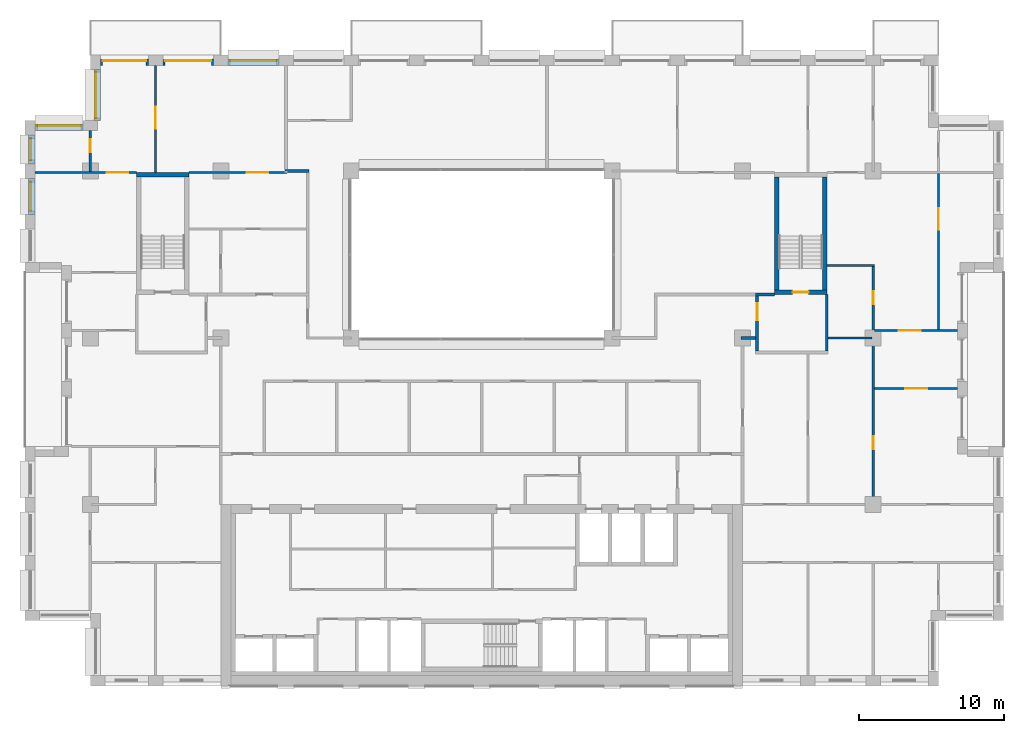
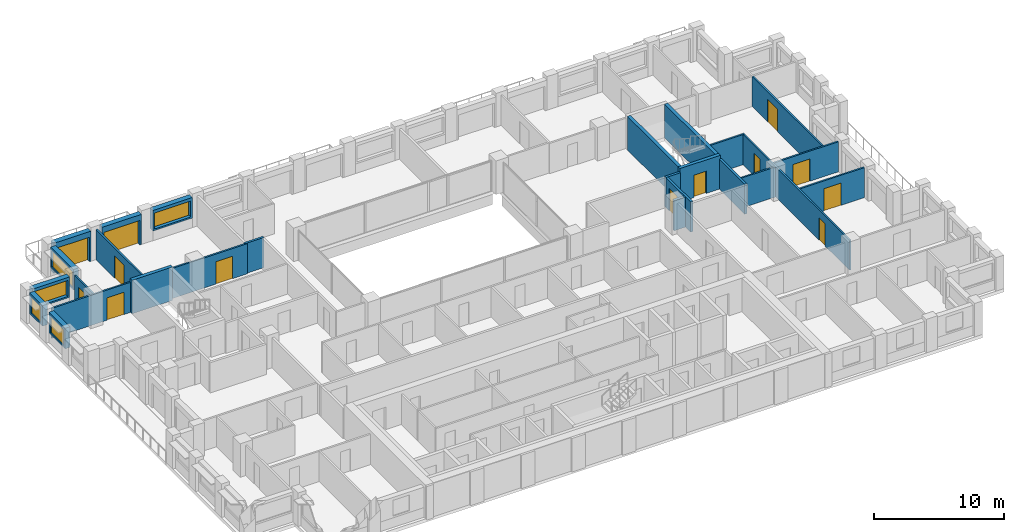
# One storey, part 12 of 16: 26 walls, 13 doors, 5 windows, 18 openings.
"""IFC4 building model written with IfcOpenShell, lengths in metres."""

from ifc_helpers import new_model, si_unit, direction, frame, frame_2d, origin, place, context, subcontext, project, spatial, rectangle, extrude, material, layer, layer_set, type_object, element, fill, save


model = new_model("IFC4")

# Units and contexts
model_context = context("Model", 3, precision=1e-05, world=origin(), true_north=direction((0.0, 1.0)))
body_context = subcontext(model_context, "Body", "Model", "MODEL_VIEW")
ifc_project = project(units=[si_unit("LENGTHUNIT", "METRE"), si_unit("AREAUNIT", "SQUARE_METRE"), si_unit("VOLUMEUNIT", "CUBIC_METRE"), si_unit("PLANEANGLEUNIT", "RADIAN"), si_unit("MASSUNIT", "GRAM", prefix="KILO")], contexts=[model_context])

# Site, building, storey
site_placement = place(None, origin())
site = spatial("IfcSite", under=ifc_project, at=site_placement, CompositionType="ELEMENT")
building_placement = place(site_placement, origin())
building = spatial("IfcBuilding", under=site, at=building_placement, Name="Brigalow Station Residences", CompositionType="ELEMENT")
storey_placement = place(building_placement, frame((0.0, 0.0, 179.10009765625)))
storey = spatial("IfcBuildingStorey", under=building, at=storey_placement, Name="L52", CompositionType="ELEMENT", Elevation=179.10009765625)

# Wall, opening, window
ifc_material_1 = material(Name="Clay brick masonry", Category="masonry")
ifc_layer_1 = layer(ifc_material_1, 0.449951171875)
ifc_layer_set_1 = layer_set([ifc_layer_1], Name="BRICK INFILL WALL 450")
wall_type_1 = type_object("IfcWallType", Name="BRICK INFILL WALL 450", PredefinedType="SOLIDWALL", material=ifc_layer_set_1)
wall_1_placement = place(storey_placement, frame((22.0, 43.02490234375, 0.89990234375), z_axis=(0.0, 0.0, 1.0), x_axis=(-1.0, 0.0, 0.0)))
wall_1 = element("IfcWall", 1, at=wall_1_placement, inside=storey, type_object=wall_type_1, Name="L52/ewall/W-L52-32", PredefinedType="SOLIDWALL", context=body_context, shape_type="SweptSolid", body=[
    extrude(rectangle(XDim=3.5, YDim=0.449951171875, at=frame_2d((1.75, 0.0))), origin(), (0.0, 0.0, 1.0), 1.929931640625),
])
opening_1_placement = place(wall_1_placement, frame((0.14990234375, 0.0, 0.14990234375)))
opening_1 = element("IfcOpeningElement", 2, at=opening_1_placement, cuts=wall_1, Name="Opening WT-9", PredefinedType="OPENING", context=body_context, shape_type="SweptSolid", body=[
    extrude(rectangle(XDim=3.199951171875, YDim=1.5, at=frame_2d((1.60009765625, 0.75))), frame((0.0, 0.23486328125, 0.0), z_axis=(0.0, -1.0, 0.0), x_axis=(1.0, 0.0, 0.0)), (0.0, 0.0, 1.0), 0.469970703125),
])
ifc_material_2 = material(Name="Anodised aluminium frame with double glazing", Category="aluminium")
window_type_1 = type_object("IfcWindowType", Name="WINDOW 3200x1500", PartitioningType="SINGLE_PANEL", PredefinedType="WINDOW", material=ifc_material_2)
window_1_placement = place(opening_1_placement, origin())
window_1 = element("IfcWindow", 3, at=window_1_placement, inside=storey, type_object=window_type_1, Name="L52/window/W-L52-32", OverallHeight=1.5, OverallWidth=3.199951171875, PartitioningType="SINGLE_PANEL", PredefinedType="WINDOW", context=body_context, shape_type="SweptSolid", body=[
    extrude(rectangle(XDim=3.199951171875, YDim=1.5, at=frame_2d((1.60009765625, 0.75))), frame((0.0, -0.06494140625, 0.0), z_axis=(0.0, -1.0, 0.0), x_axis=(1.0, 0.0, 0.0)), (0.0, 0.0, 1.0), 0.06005859375),
])
fill(opening_1, window_1)

# Wall, opening, door
wall_2_placement = place(storey_placement, frame((17.5, 43.02490234375, 0.0), z_axis=(0.0, 0.0, 1.0), x_axis=(-1.0, 0.0, 0.0)))
wall_2 = element("IfcWall", 4, at=wall_2_placement, inside=storey, type_object=wall_type_1, Name="L52/ewall/W-L52-33", PredefinedType="SOLIDWALL", context=body_context, shape_type="SweptSolid", body=[
    extrude(rectangle(XDim=3.5, YDim=0.449951171875, at=frame_2d((1.75, 0.0))), origin(), (0.0, 0.0, 1.0), 2.829833984375),
])
opening_2_placement = place(wall_2_placement, frame((0.14990234375, 0.0, 0.0)))
opening_2 = element("IfcOpeningElement", 5, at=opening_2_placement, cuts=wall_2, Name="Opening D-B3200", PredefinedType="OPENING", context=body_context, shape_type="SweptSolid", body=[
    extrude(rectangle(XDim=3.199951171875, YDim=2.300048828125, at=frame_2d((1.60009765625, 1.14990234375))), frame((0.0, 0.23486328125, 0.0), z_axis=(0.0, -1.0, 0.0), x_axis=(1.0, 0.0, 0.0)), (0.0, 0.0, 1.0), 0.469970703125),
])
ifc_material_3 = material(Name="Anodised aluminium frame with double glazing", Category="aluminium")
door_type_1 = type_object("IfcDoorType", Name="BALCONY SLIDING DOOR 3200x2300", OperationType="SLIDING_TO_LEFT", PredefinedType="DOOR", material=ifc_material_3)
door_1_placement = place(opening_2_placement, origin())
door_1 = element("IfcDoor", 6, at=door_1_placement, inside=storey, type_object=door_type_1, Name="L52/balcony-door/W-L52-33", OperationType="SLIDING_TO_LEFT", OverallHeight=2.300048828125, OverallWidth=3.199951171875, PredefinedType="DOOR", context=body_context, shape_type="SweptSolid", body=[
    extrude(rectangle(XDim=3.199951171875, YDim=2.300048828125, at=frame_2d((1.60009765625, 1.14990234375))), frame((0.0, -0.06982421875, 0.0), z_axis=(0.0, -1.0, 0.0), x_axis=(1.0, 0.0, 0.0)), (0.0, 0.0, 1.0), 0.050048828125),
])
fill(opening_2, door_1)

wall_3_placement = place(storey_placement, frame((13.0, 43.02490234375, 0.0), z_axis=(0.0, 0.0, 1.0), x_axis=(-1.0, 0.0, 0.0)))
wall_3 = element("IfcWall", 7, at=wall_3_placement, inside=storey, type_object=wall_type_1, Name="L52/ewall/W-L52-34", PredefinedType="SOLIDWALL", context=body_context, shape_type="SweptSolid", body=[
    extrude(rectangle(XDim=3.300048828125, YDim=0.449951171875, at=frame_2d((1.64990234375, 0.0))), origin(), (0.0, 0.0, 1.0), 2.829833984375),
])
opening_3_placement = place(wall_3_placement, frame((0.14990234375, 0.0, 0.0)))
opening_3 = element("IfcOpeningElement", 8, at=opening_3_placement, cuts=wall_3, Name="Opening D-B3000", PredefinedType="OPENING", context=body_context, shape_type="SweptSolid", body=[
    extrude(rectangle(XDim=3.0, YDim=2.300048828125, at=frame_2d((1.5, 1.14990234375))), frame((0.0, 0.23486328125, 0.0), z_axis=(0.0, -1.0, 0.0), x_axis=(1.0, 0.0, 0.0)), (0.0, 0.0, 1.0), 0.469970703125),
])
ifc_material_4 = material(Name="Anodised aluminium frame with double glazing", Category="aluminium")
door_type_2 = type_object("IfcDoorType", Name="BALCONY SLIDING DOOR 3000x2300", OperationType="SLIDING_TO_LEFT", PredefinedType="DOOR", material=ifc_material_4)
door_2_placement = place(opening_3_placement, origin())
door_2 = element("IfcDoor", 9, at=door_2_placement, inside=storey, type_object=door_type_2, Name="L52/balcony-door/W-L52-34", OperationType="SLIDING_TO_LEFT", OverallHeight=2.300048828125, OverallWidth=3.0, PredefinedType="DOOR", context=body_context, shape_type="SweptSolid", body=[
    extrude(rectangle(XDim=3.0, YDim=2.300048828125, at=frame_2d((1.5, 1.14990234375))), frame((0.0, -0.06982421875, 0.0), z_axis=(0.0, -1.0, 0.0), x_axis=(1.0, 0.0, 0.0)), (0.0, 0.0, 1.0), 0.050048828125),
])
fill(opening_3, door_2)

# Wall, opening, window
wall_4_placement = place(storey_placement, frame((9.47509765625, 42.5, 0.89990234375), z_axis=(0.0, 0.0, 1.0), x_axis=(0.0, -1.0, 0.0)))
wall_4 = element("IfcWall", 10, at=wall_4_placement, inside=storey, type_object=wall_type_1, Name="L52/ewall/W-L52-35", PredefinedType="SOLIDWALL", context=body_context, shape_type="SweptSolid", body=[
    extrude(rectangle(XDim=3.5, YDim=0.449951171875, at=frame_2d((1.75, 0.0))), origin(), (0.0, 0.0, 1.0), 1.929931640625),
])
opening_4_placement = place(wall_4_placement, frame((0.14990234375, 0.0, 0.14990234375)))
opening_4 = element("IfcOpeningElement", 11, at=opening_4_placement, cuts=wall_4, Name="Opening WT-9", PredefinedType="OPENING", context=body_context, shape_type="SweptSolid", body=[
    extrude(rectangle(XDim=3.199951171875, YDim=1.5, at=frame_2d((1.60009765625, 0.75))), frame((0.0, 0.23486328125, 0.0), z_axis=(0.0, -1.0, 0.0), x_axis=(1.0, 0.0, 0.0)), (0.0, 0.0, 1.0), 0.469970703125),
])
window_2_placement = place(opening_4_placement, origin())
window_2 = element("IfcWindow", 12, at=window_2_placement, inside=storey, type_object=window_type_1, Name="L52/window/W-L52-35", OverallHeight=1.5, OverallWidth=3.199951171875, PartitioningType="SINGLE_PANEL", PredefinedType="WINDOW", context=body_context, shape_type="SweptSolid", body=[
    extrude(rectangle(XDim=3.199951171875, YDim=1.5, at=frame_2d((1.60009765625, 0.75))), frame((0.0, -0.06494140625, 0.0), z_axis=(0.0, -1.0, 0.0), x_axis=(1.0, 0.0, 0.0)), (0.0, 0.0, 1.0), 0.06005859375),
])
fill(opening_4, window_2)

wall_5_placement = place(storey_placement, frame((8.5, 38.52490234375, 0.89990234375), z_axis=(0.0, 0.0, 1.0), x_axis=(-1.0, 0.0, 0.0)))
wall_5 = element("IfcWall", 13, at=wall_5_placement, inside=storey, type_object=wall_type_1, Name="L52/ewall/W-L52-36", PredefinedType="SOLIDWALL", context=body_context, shape_type="SweptSolid", body=[
    extrude(rectangle(XDim=3.300048828125, YDim=0.449951171875, at=frame_2d((1.64990234375, 0.0))), origin(), (0.0, 0.0, 1.0), 1.929931640625),
])
opening_5_placement = place(wall_5_placement, frame((0.14990234375, 0.0, 0.14990234375)))
opening_5 = element("IfcOpeningElement", 14, at=opening_5_placement, cuts=wall_5, Name="Opening WT-2", PredefinedType="OPENING", context=body_context, shape_type="SweptSolid", body=[
    extrude(rectangle(XDim=3.0, YDim=1.5, at=frame_2d((1.5, 0.75))), frame((0.0, 0.23486328125, 0.0), z_axis=(0.0, -1.0, 0.0), x_axis=(1.0, 0.0, 0.0)), (0.0, 0.0, 1.0), 0.469970703125),
])
ifc_material_5 = material(Name="Anodised aluminium frame with double glazing", Category="aluminium")
window_type_2 = type_object("IfcWindowType", Name="WINDOW 3000x1500", PartitioningType="SINGLE_PANEL", PredefinedType="WINDOW", material=ifc_material_5)
window_3_placement = place(opening_5_placement, origin())
window_3 = element("IfcWindow", 15, at=window_3_placement, inside=storey, type_object=window_type_2, Name="L52/window/W-L52-36", OverallHeight=1.5, OverallWidth=3.0, PartitioningType="SINGLE_PANEL", PredefinedType="WINDOW", context=body_context, shape_type="SweptSolid", body=[
    extrude(rectangle(XDim=3.0, YDim=1.5, at=frame_2d((1.5, 0.75))), frame((0.0, -0.06494140625, 0.0), z_axis=(0.0, -1.0, 0.0), x_axis=(1.0, 0.0, 0.0)), (0.0, 0.0, 1.0), 0.06005859375),
])
fill(opening_5, window_3)

wall_6_placement = place(storey_placement, frame((4.97509765625, 38.0, 0.89990234375), z_axis=(0.0, 0.0, 1.0), x_axis=(0.0, -1.0, 0.0)))
wall_6 = element("IfcWall", 16, at=wall_6_placement, inside=storey, type_object=wall_type_1, Name="L52/ewall/W-L52-37", PredefinedType="SOLIDWALL", context=body_context, shape_type="SweptSolid", body=[
    extrude(rectangle(XDim=2.0, YDim=0.449951171875, at=frame_2d((1.0, 0.0))), origin(), (0.0, 0.0, 1.0), 1.929931640625),
])
opening_6_placement = place(wall_6_placement, frame((0.25, 0.0, 0.14990234375)))
opening_6 = element("IfcOpeningElement", 17, at=opening_6_placement, cuts=wall_6, Name="Opening WT-1", PredefinedType="OPENING", context=body_context, shape_type="SweptSolid", body=[
    extrude(rectangle(XDim=1.5, YDim=1.5, at=frame_2d((0.75, 0.75))), frame((0.0, 0.23486328125, 0.0), z_axis=(0.0, -1.0, 0.0), x_axis=(1.0, 0.0, 0.0)), (0.0, 0.0, 1.0), 0.469970703125),
])
ifc_material_6 = material(Name="Anodised aluminium frame with double glazing", Category="aluminium")
window_type_3 = type_object("IfcWindowType", Name="WINDOW 1500x1500", PartitioningType="SINGLE_PANEL", PredefinedType="WINDOW", material=ifc_material_6)
window_4_placement = place(opening_6_placement, origin())
window_4 = element("IfcWindow", 18, at=window_4_placement, inside=storey, type_object=window_type_3, Name="L52/window/W-L52-37", OverallHeight=1.5, OverallWidth=1.5, PartitioningType="SINGLE_PANEL", PredefinedType="WINDOW", context=body_context, shape_type="SweptSolid", body=[
    extrude(rectangle(XDim=1.5, YDim=1.5, at=frame_2d((0.75, 0.75))), frame((0.0, -0.06494140625, 0.0), z_axis=(0.0, -1.0, 0.0), x_axis=(1.0, 0.0, 0.0)), (0.0, 0.0, 1.0), 0.06005859375),
])
fill(opening_6, window_4)

wall_7_placement = place(storey_placement, frame((4.97509765625, 35.0, 0.89990234375), z_axis=(0.0, 0.0, 1.0), x_axis=(0.0, -1.0, 0.0)))
wall_7 = element("IfcWall", 19, at=wall_7_placement, inside=storey, type_object=wall_type_1, Name="L52/ewall/W-L52-38", PredefinedType="SOLIDWALL", context=body_context, shape_type="SweptSolid", body=[
    extrude(rectangle(XDim=2.5, YDim=0.449951171875, at=frame_2d((1.25, 0.0))), origin(), (0.0, 0.0, 1.0), 1.929931640625),
])
opening_7_placement = place(wall_7_placement, frame((0.25, 0.0, 0.14990234375)))
opening_7 = element("IfcOpeningElement", 20, at=opening_7_placement, cuts=wall_7, Name="Opening WT-7", PredefinedType="OPENING", context=body_context, shape_type="SweptSolid", body=[
    extrude(rectangle(XDim=2.0, YDim=1.5, at=frame_2d((1.0, 0.75))), frame((0.0, 0.23486328125, 0.0), z_axis=(0.0, -1.0, 0.0), x_axis=(1.0, 0.0, 0.0)), (0.0, 0.0, 1.0), 0.469970703125),
])
ifc_material_7 = material(Name="Anodised aluminium frame with double glazing", Category="aluminium")
window_type_4 = type_object("IfcWindowType", Name="WINDOW 2000x1500", PartitioningType="SINGLE_PANEL", PredefinedType="WINDOW", material=ifc_material_7)
window_5_placement = place(opening_7_placement, origin())
window_5 = element("IfcWindow", 21, at=window_5_placement, inside=storey, type_object=window_type_4, Name="L52/window/W-L52-38", OverallHeight=1.5, OverallWidth=2.0, PartitioningType="SINGLE_PANEL", PredefinedType="WINDOW", context=body_context, shape_type="SweptSolid", body=[
    extrude(rectangle(XDim=2.0, YDim=1.5, at=frame_2d((1.0, 0.75))), frame((0.0, -0.06494140625, 0.0), z_axis=(0.0, -1.0, 0.0), x_axis=(1.0, 0.0, 0.0)), (0.0, 0.0, 1.0), 0.06005859375),
])
fill(opening_7, window_5)

# Wall
ifc_material_8 = material(Name="Concrete C65", Category="concrete")
ifc_layer_2 = layer(ifc_material_8, 0.300048828125)
ifc_layer_set_2 = layer_set([ifc_layer_2], Name="CORE SHEAR WALL 300 C65")
wall_type_2 = type_object("IfcWallType", Name="CORE SHEAR WALL 300 C65", PredefinedType="SHEAR", material=ifc_layer_set_2)
wall_8_placement = place(storey_placement, frame((12.199951171875, 35.25, 0.0), z_axis=(0.0, 0.0, 1.0), x_axis=(1.0, 0.0, 0.0)))
element("IfcWall", 22, at=wall_8_placement, inside=storey, type_object=wall_type_2, Name="CORE WALL ST-S1-N L52", PredefinedType="SHEAR", context=body_context, shape_type="SweptSolid", body=[
    extrude(rectangle(XDim=3.60009765625, YDim=0.300048828125, at=frame_2d((1.800048828125, 0.0))), origin(), (0.0, 0.0, 1.0), 3.14990234375),
])

# Wall, opening, door
wall_9_placement = place(storey_placement, frame((56.199951171875, 27.14990234375, 0.0), z_axis=(0.0, 0.0, 1.0), x_axis=(1.0, 0.0, 0.0)))
wall_9 = element("IfcWall", 23, at=wall_9_placement, inside=storey, type_object=wall_type_2, Name="CORE WALL ST-S3-S L52", PredefinedType="SHEAR", context=body_context, shape_type="SweptSolid", body=[
    extrude(rectangle(XDim=3.60009765625, YDim=0.300048828125, at=frame_2d((1.800048828125, 0.0))), origin(), (0.0, 0.0, 1.0), 3.14990234375),
])
opening_8_placement = place(wall_9_placement, frame((1.25, 0.0, 0.0)))
opening_8 = element("IfcOpeningElement", 24, at=opening_8_placement, cuts=wall_9, Name="Opening D-5018", PredefinedType="OPENING", context=body_context, shape_type="SweptSolid", body=[
    extrude(rectangle(XDim=1.10009765625, YDim=2.10009765625, at=frame_2d((0.550048828125, 1.050048828125))), frame((0.0, 0.16015625, 0.0), z_axis=(0.0, -1.0, 0.0), x_axis=(1.0, 0.0, 0.0)), (0.0, 0.0, 1.0), 0.320068359375),
])
ifc_material_9 = material(Name="Steel fire door leaf in steel frame", Category="steel")
door_type_3 = type_object("IfcDoorType", Name="STAIR DOOR 1100 x 2100 FD60S", OperationType="SINGLE_SWING_LEFT", PredefinedType="DOOR", material=ifc_material_9)
door_3_placement = place(opening_8_placement, origin())
door_3 = element("IfcDoor", 25, at=door_3_placement, inside=storey, type_object=door_type_3, Name="D-5018", OperationType="SINGLE_SWING_LEFT", OverallHeight=2.10009765625, OverallWidth=1.10009765625, PredefinedType="DOOR", context=body_context, shape_type="SweptSolid", body=[
    extrude(rectangle(XDim=1.10009765625, YDim=2.10009765625, at=frame_2d((0.550048828125, 1.050048828125))), frame((0.0, 0.02490234375, 0.0), z_axis=(0.0, -1.0, 0.0), x_axis=(1.0, 0.0, 0.0)), (0.0, 0.0, 1.0), 0.050048828125),
])
fill(opening_8, door_3)

# Walls
for number, where, z_axis, x_axis, name in (
    (26, (56.35009765625, 27.300048828125, 0.0), (0.0, 0.0, 1.0), (0.0, 1.0, 0.0), "CORE WALL ST-S3-W L52"),
    (27, (59.64990234375, 27.300048828125, 0.0), (0.0, 0.0, 1.0), (0.0, 1.0, 0.0), "CORE WALL ST-S3-E L52"),
):
    element("IfcWall", number, at=place(storey_placement, frame(where, z_axis=z_axis, x_axis=x_axis)), inside=storey, type_object=wall_type_2, Name=name, PredefinedType="SHEAR", context=body_context, shape_type="SweptSolid", body=[
        extrude(rectangle(XDim=7.800048828125, YDim=0.300048828125, at=frame_2d((3.89990234375, 0.0))), origin(), (0.0, 0.0, 1.0), 3.14990234375),
    ])
ifc_material_10 = material(Name="Concrete blockwork", Category="masonry")
ifc_layer_3 = layer(ifc_material_10, 0.199951171875)
ifc_layer_set_3 = layer_set([ifc_layer_3], Name="FIRE RATED CORE PARTITION 200")
wall_type_3 = type_object("IfcWallType", Name="FIRE RATED CORE PARTITION 200", PredefinedType="PARTITIONING", material=ifc_layer_set_3)
wall_10_placement = place(storey_placement, frame((54.89990234375, 27.0, 0.0), z_axis=(0.0, 0.0, 1.0), x_axis=(1.0, 0.0, 0.0)))
element("IfcWall", 28, at=wall_10_placement, inside=storey, type_object=wall_type_3, Name="PW-5026", PredefinedType="PARTITIONING", context=body_context, shape_type="SweptSolid", body=[
    extrude(rectangle(XDim=1.300048828125, YDim=0.199951171875, at=frame_2d((0.64990234375, 0.0))), origin(), (0.0, 0.0, 1.0), 2.829833984375),
])

# Wall, opening, door
wall_11_placement = place(storey_placement, frame((55.0, 23.10009765625, 0.0), z_axis=(0.0, 0.0, 1.0), x_axis=(0.0, 1.0, 0.0)))
wall_11 = element("IfcWall", 29, at=wall_11_placement, inside=storey, type_object=wall_type_3, Name="PW-5036", PredefinedType="PARTITIONING", context=body_context, shape_type="SweptSolid", body=[
    extrude(rectangle(XDim=3.7998046875, YDim=0.199951171875, at=frame_2d((1.89990234375, 0.0))), origin(), (0.0, 0.0, 1.0), 2.829833984375),
])
opening_9_placement = place(wall_11_placement, frame((2.10009765625, 0.0, 0.0)))
opening_9 = element("IfcOpeningElement", 30, at=opening_9_placement, cuts=wall_11, Name="Opening D-5019", PredefinedType="OPENING", context=body_context, shape_type="SweptSolid", body=[
    extrude(rectangle(XDim=1.199951171875, YDim=2.10009765625, at=frame_2d((0.60009765625, 1.050048828125))), frame((0.0, 0.10986328125, 0.0), z_axis=(0.0, -1.0, 0.0), x_axis=(1.0, 0.0, 0.0)), (0.0, 0.0, 1.0), 0.219970703125),
])
ifc_material_11 = material(Name="Steel fire door leaf in steel frame", Category="steel")
door_type_4 = type_object("IfcDoorType", Name="STAIR LOBBY DOOR 1200 x 2100 FD60S", OperationType="SINGLE_SWING_LEFT", PredefinedType="DOOR", material=ifc_material_11)
door_4_placement = place(opening_9_placement, frame((1.199951171875, 0.0, 0.0), z_axis=(0.0, 0.0, 1.0), x_axis=(-1.0, 0.0, 0.0)))
door_4 = element("IfcDoor", 31, at=door_4_placement, inside=storey, type_object=door_type_4, Name="D-5019", OperationType="SINGLE_SWING_LEFT", OverallHeight=2.10009765625, OverallWidth=1.199951171875, PredefinedType="DOOR", context=body_context, shape_type="SweptSolid", body=[
    extrude(rectangle(XDim=1.199951171875, YDim=2.10009765625, at=frame_2d((0.60009765625, 1.050048828125))), frame((0.0, 0.02490234375, 0.0), z_axis=(0.0, -1.0, 0.0), x_axis=(1.0, 0.0, 0.0)), (0.0, 0.0, 1.0), 0.050048828125),
])
fill(opening_9, door_4)

# Walls
wall_12_placement = place(storey_placement, frame((59.800048828125, 23.10009765625, 0.0), z_axis=(0.0, 0.0, 1.0), x_axis=(0.0, 1.0, 0.0)))
element("IfcWall", 32, at=wall_12_placement, inside=storey, type_object=wall_type_3, Name="PW-5037", PredefinedType="PARTITIONING", context=body_context, shape_type="SweptSolid", body=[
    extrude(rectangle(XDim=3.89990234375, YDim=0.199951171875, at=frame_2d((1.949951171875, 0.0))), origin(), (0.0, 0.0, 1.0), 2.829833984375),
])
ifc_material_12 = material(Name="Plasterboard on steel stud partition", Category="steel")
ifc_layer_4 = layer(ifc_material_12, 0.14990234375)
ifc_layer_set_4 = layer_set([ifc_layer_4], Name="FLAT PARTITION 150")
wall_type_4 = type_object("IfcWallType", Name="FLAT PARTITION 150", PredefinedType="PARTITIONING", material=ifc_layer_set_4)
wall_13_placement = place(storey_placement, frame((59.89990234375, 24.0, 0.0), z_axis=(0.0, 0.0, 1.0), x_axis=(1.0, 0.0, 0.0)))
element("IfcWall", 33, at=wall_13_placement, inside=storey, type_object=wall_type_4, Name="PW-3F02", PredefinedType="PARTITIONING", context=body_context, shape_type="SweptSolid", body=[
    extrude(rectangle(XDim=3.025146484375, YDim=0.14990234375, at=frame_2d((1.5126953125, 0.0))), origin(), (0.0, 0.0, 1.0), 2.829833984375),
])

# Wall, opening, door
wall_14_placement = place(storey_placement, frame((5.199951171875, 35.39990234375, 0.0), z_axis=(0.0, 0.0, 1.0), x_axis=(1.0, 0.0, 0.0)))
wall_14 = element("IfcWall", 34, at=wall_14_placement, inside=storey, type_object=wall_type_4, Name="PW-3F10", PredefinedType="PARTITIONING", context=body_context, shape_type="SweptSolid", body=[
    extrude(rectangle(XDim=7.0, YDim=0.14990234375, at=frame_2d((3.5, 0.0))), origin(), (0.0, 0.0, 1.0), 2.829833984375),
])
opening_10_placement = place(wall_14_placement, frame((4.925048828125, 0.0, 0.0)))
opening_10 = element("IfcOpeningElement", 35, at=opening_10_placement, cuts=wall_14, Name="Opening D-3F09", PredefinedType="OPENING", context=body_context, shape_type="SweptSolid", body=[
    extrude(rectangle(XDim=1.5, YDim=2.10009765625, at=frame_2d((0.75, 1.050048828125))), frame((0.0, 0.0849609375, 0.0), z_axis=(0.0, -1.0, 0.0), x_axis=(1.0, 0.0, 0.0)), (0.0, 0.0, 1.0), 0.169921875),
])
ifc_material_13 = material(Name="Solid-core timber door leaf", Category="wood")
door_type_5 = type_object("IfcDoorType", Name="INTERNAL DOUBLE DOOR 1500 x 2100", OperationType="DOUBLE_DOOR_SINGLE_SWING", PredefinedType="DOOR", material=ifc_material_13)
door_5_placement = place(opening_10_placement, origin())
door_5 = element("IfcDoor", 36, at=door_5_placement, inside=storey, type_object=door_type_5, Name="D-3F09", OperationType="DOUBLE_DOOR_SINGLE_SWING", OverallHeight=2.10009765625, OverallWidth=1.5, PredefinedType="DOOR", context=body_context, shape_type="SweptSolid", body=[
    extrude(rectangle(XDim=1.5, YDim=2.10009765625, at=frame_2d((0.75, 1.050048828125))), frame((0.0, 0.02490234375, 0.0), z_axis=(0.0, -1.0, 0.0), x_axis=(1.0, 0.0, 0.0)), (0.0, 0.0, 1.0), 0.050048828125),
])
fill(opening_10, door_5)

wall_15_placement = place(storey_placement, frame((15.800048828125, 35.39990234375, 0.0), z_axis=(0.0, 0.0, 1.0), x_axis=(1.0, 0.0, 0.0)))
wall_15 = element("IfcWall", 37, at=wall_15_placement, inside=storey, type_object=wall_type_4, Name="PW-3F11", PredefinedType="PARTITIONING", context=body_context, shape_type="SweptSolid", body=[
    extrude(rectangle(XDim=6.77490234375, YDim=0.14990234375, at=frame_2d((3.387451171875, 0.0))), origin(), (0.0, 0.0, 1.0), 2.829833984375),
])
opening_11_placement = place(wall_15_placement, frame((3.97509765625, 0.0, 0.0)))
opening_11 = element("IfcOpeningElement", 38, at=opening_11_placement, cuts=wall_15, Name="Opening D-3F07", PredefinedType="OPENING", context=body_context, shape_type="SweptSolid", body=[
    extrude(rectangle(XDim=1.5, YDim=2.10009765625, at=frame_2d((0.75, 1.050048828125))), frame((0.0, 0.0849609375, 0.0), z_axis=(0.0, -1.0, 0.0), x_axis=(1.0, 0.0, 0.0)), (0.0, 0.0, 1.0), 0.169921875),
])
door_6_placement = place(opening_11_placement, frame((1.5, 0.0, 0.0), z_axis=(0.0, 0.0, 1.0), x_axis=(-1.0, 0.0, 0.0)))
door_6 = element("IfcDoor", 39, at=door_6_placement, inside=storey, type_object=door_type_5, Name="D-3F07", OperationType="DOUBLE_DOOR_SINGLE_SWING", OverallHeight=2.10009765625, OverallWidth=1.5, PredefinedType="DOOR", context=body_context, shape_type="SweptSolid", body=[
    extrude(rectangle(XDim=1.5, YDim=2.10009765625, at=frame_2d((0.75, 1.050048828125))), frame((0.0, 0.02490234375, 0.0), z_axis=(0.0, -1.0, 0.0), x_axis=(1.0, 0.0, 0.0)), (0.0, 0.0, 1.0), 0.050048828125),
])
fill(opening_11, door_6)

wall_16_placement = place(storey_placement, frame((63.074951171875, 24.5, 0.0), z_axis=(0.0, 0.0, 1.0), x_axis=(1.0, 0.0, 0.0)))
wall_16 = element("IfcWall", 40, at=wall_16_placement, inside=storey, type_object=wall_type_4, Name="PW-3F18", PredefinedType="PARTITIONING", context=body_context, shape_type="SweptSolid", body=[
    extrude(rectangle(XDim=5.72509765625, YDim=0.14990234375, at=frame_2d((2.862548828125, 0.0))), origin(), (0.0, 0.0, 1.0), 2.829833984375),
])
opening_12_placement = place(wall_16_placement, frame((1.699951171875, 0.0, 0.0)))
opening_12 = element("IfcOpeningElement", 41, at=opening_12_placement, cuts=wall_16, Name="Opening D-3F27", PredefinedType="OPENING", context=body_context, shape_type="SweptSolid", body=[
    extrude(rectangle(XDim=1.5, YDim=2.10009765625, at=frame_2d((0.75, 1.050048828125))), frame((0.0, 0.0849609375, 0.0), z_axis=(0.0, -1.0, 0.0), x_axis=(1.0, 0.0, 0.0)), (0.0, 0.0, 1.0), 0.169921875),
])
door_7_placement = place(opening_12_placement, frame((1.5, 0.0, 0.0), z_axis=(0.0, 0.0, 1.0), x_axis=(-1.0, 0.0, 0.0)))
door_7 = element("IfcDoor", 42, at=door_7_placement, inside=storey, type_object=door_type_5, Name="D-3F27", OperationType="DOUBLE_DOOR_SINGLE_SWING", OverallHeight=2.10009765625, OverallWidth=1.5, PredefinedType="DOOR", context=body_context, shape_type="SweptSolid", body=[
    extrude(rectangle(XDim=1.5, YDim=2.10009765625, at=frame_2d((0.75, 1.050048828125))), frame((0.0, 0.02490234375, 0.0), z_axis=(0.0, -1.0, 0.0), x_axis=(1.0, 0.0, 0.0)), (0.0, 0.0, 1.0), 0.050048828125),
])
fill(opening_12, door_7)

wall_17_placement = place(storey_placement, frame((63.074951171875, 20.5, 0.0), z_axis=(0.0, 0.0, 1.0), x_axis=(1.0, 0.0, 0.0)))
wall_17 = element("IfcWall", 43, at=wall_17_placement, inside=storey, type_object=wall_type_4, Name="PW-3F24", PredefinedType="PARTITIONING", context=body_context, shape_type="SweptSolid", body=[
    extrude(rectangle(XDim=5.72509765625, YDim=0.14990234375, at=frame_2d((2.862548828125, 0.0))), origin(), (0.0, 0.0, 1.0), 2.829833984375),
])
opening_13_placement = place(wall_17_placement, frame((2.14990234375, 0.0, 0.0)))
opening_13 = element("IfcOpeningElement", 44, at=opening_13_placement, cuts=wall_17, Name="Opening D-3F26", PredefinedType="OPENING", context=body_context, shape_type="SweptSolid", body=[
    extrude(rectangle(XDim=1.5, YDim=2.10009765625, at=frame_2d((0.75, 1.050048828125))), frame((0.0, 0.0849609375, 0.0), z_axis=(0.0, -1.0, 0.0), x_axis=(1.0, 0.0, 0.0)), (0.0, 0.0, 1.0), 0.169921875),
])
door_8_placement = place(opening_13_placement, origin())
door_8 = element("IfcDoor", 45, at=door_8_placement, inside=storey, type_object=door_type_5, Name="D-3F26", OperationType="DOUBLE_DOOR_SINGLE_SWING", OverallHeight=2.10009765625, OverallWidth=1.5, PredefinedType="DOOR", context=body_context, shape_type="SweptSolid", body=[
    extrude(rectangle(XDim=1.5, YDim=2.10009765625, at=frame_2d((0.75, 1.050048828125))), frame((0.0, 0.02490234375, 0.0), z_axis=(0.0, -1.0, 0.0), x_axis=(1.0, 0.0, 0.0)), (0.0, 0.0, 1.0), 0.050048828125),
])
fill(opening_13, door_8)

# Wall
wall_18_placement = place(storey_placement, frame((59.800048828125, 29.0, 0.0), z_axis=(0.0, 0.0, 1.0), x_axis=(1.0, 0.0, 0.0)))
element("IfcWall", 46, at=wall_18_placement, inside=storey, type_object=wall_type_4, Name="PW-3F25", PredefinedType="PARTITIONING", context=body_context, shape_type="SweptSolid", body=[
    extrude(rectangle(XDim=3.27490234375, YDim=0.14990234375, at=frame_2d((1.637451171875, 0.0))), origin(), (0.0, 0.0, 1.0), 2.829833984375),
])

# Wall, opening, door
wall_19_placement = place(storey_placement, frame((9.0, 35.47509765625, 0.0), z_axis=(0.0, 0.0, 1.0), x_axis=(0.0, 1.0, 0.0)))
wall_19 = element("IfcWall", 47, at=wall_19_placement, inside=storey, type_object=wall_type_4, Name="PW-3F37", PredefinedType="PARTITIONING", context=body_context, shape_type="SweptSolid", body=[
    extrude(rectangle(XDim=2.824951171875, YDim=0.14990234375, at=frame_2d((1.41259765625, 0.0))), origin(), (0.0, 0.0, 1.0), 2.829833984375),
])
opening_14_placement = place(wall_19_placement, frame((1.324951171875, 0.0, 0.0)))
opening_14 = element("IfcOpeningElement", 48, at=opening_14_placement, cuts=wall_19, Name="Opening D-3F05", PredefinedType="OPENING", context=body_context, shape_type="SweptSolid", body=[
    extrude(rectangle(XDim=0.89990234375, YDim=2.10009765625, at=frame_2d((0.449951171875, 1.050048828125))), frame((0.0, 0.0849609375, 0.0), z_axis=(0.0, -1.0, 0.0), x_axis=(1.0, 0.0, 0.0)), (0.0, 0.0, 1.0), 0.169921875),
])
ifc_material_14 = material(Name="Solid-core timber door leaf", Category="wood")
door_type_6 = type_object("IfcDoorType", Name="INTERNAL DOOR 900 x 2100", OperationType="SINGLE_SWING_LEFT", PredefinedType="DOOR", material=ifc_material_14)
door_9_placement = place(opening_14_placement, origin())
door_9 = element("IfcDoor", 49, at=door_9_placement, inside=storey, type_object=door_type_6, Name="D-3F05", OperationType="SINGLE_SWING_RIGHT", OverallHeight=2.10009765625, OverallWidth=0.89990234375, PredefinedType="DOOR", context=body_context, shape_type="SweptSolid", body=[
    extrude(rectangle(XDim=0.89990234375, YDim=2.10009765625, at=frame_2d((0.449951171875, 1.050048828125))), frame((0.0, 0.02490234375, 0.0), z_axis=(0.0, -1.0, 0.0), x_axis=(1.0, 0.0, 0.0)), (0.0, 0.0, 1.0), 0.050048828125),
])
fill(opening_14, door_9)

wall_20_placement = place(storey_placement, frame((13.5, 35.39990234375, 0.0), z_axis=(0.0, 0.0, 1.0), x_axis=(0.0, 1.0, 0.0)))
wall_20 = element("IfcWall", 50, at=wall_20_placement, inside=storey, type_object=wall_type_4, Name="PW-3F42", PredefinedType="PARTITIONING", context=body_context, shape_type="SweptSolid", body=[
    extrude(rectangle(XDim=7.400146484375, YDim=0.14990234375, at=frame_2d((3.7001953125, 0.0))), origin(), (0.0, 0.0, 1.0), 2.829833984375),
])
opening_15_placement = place(wall_20_placement, frame((3.02490234375, 0.0, 0.0)))
opening_15 = element("IfcOpeningElement", 51, at=opening_15_placement, cuts=wall_20, Name="Opening D-3F08", PredefinedType="OPENING", context=body_context, shape_type="SweptSolid", body=[
    extrude(rectangle(XDim=1.5, YDim=2.10009765625, at=frame_2d((0.75, 1.050048828125))), frame((0.0, 0.0849609375, 0.0), z_axis=(0.0, -1.0, 0.0), x_axis=(1.0, 0.0, 0.0)), (0.0, 0.0, 1.0), 0.169921875),
])
door_10_placement = place(opening_15_placement, origin())
door_10 = element("IfcDoor", 52, at=door_10_placement, inside=storey, type_object=door_type_5, Name="D-3F08", OperationType="DOUBLE_DOOR_SINGLE_SWING", OverallHeight=2.10009765625, OverallWidth=1.5, PredefinedType="DOOR", context=body_context, shape_type="SweptSolid", body=[
    extrude(rectangle(XDim=1.5, YDim=2.10009765625, at=frame_2d((0.75, 1.050048828125))), frame((0.0, 0.02490234375, 0.0), z_axis=(0.0, -1.0, 0.0), x_axis=(1.0, 0.0, 0.0)), (0.0, 0.0, 1.0), 0.050048828125),
])
fill(opening_15, door_10)

# Wall, openings, doors
wall_21_placement = place(storey_placement, frame((63.0, 12.574951171875, 0.0), z_axis=(0.0, 0.0, 1.0), x_axis=(0.0, 1.0, 0.0)))
wall_21 = element("IfcWall", 53, at=wall_21_placement, inside=storey, type_object=wall_type_4, Name="PW-3F47", PredefinedType="PARTITIONING", context=body_context, shape_type="SweptSolid", body=[
    extrude(rectangle(XDim=16.35009765625, YDim=0.14990234375, at=frame_2d((8.175048828125, 0.0))), origin(), (0.0, 0.0, 1.0), 2.829833984375),
])
opening_16_placement = place(wall_21_placement, frame((3.75, 0.0, 0.0)))
opening_16 = element("IfcOpeningElement", 54, at=opening_16_placement, cuts=wall_21, Name="Opening D-3F25", PredefinedType="OPENING", context=body_context, shape_type="SweptSolid", body=[
    extrude(rectangle(XDim=0.89990234375, YDim=2.10009765625, at=frame_2d((0.449951171875, 1.050048828125))), frame((0.0, 0.0849609375, 0.0), z_axis=(0.0, -1.0, 0.0), x_axis=(1.0, 0.0, 0.0)), (0.0, 0.0, 1.0), 0.169921875),
])
opening_17_placement = place(wall_21_placement, frame((13.75, 0.0, 0.0)))
opening_17 = element("IfcOpeningElement", 55, at=opening_17_placement, cuts=wall_21, Name="Opening D-3F28", PredefinedType="OPENING", context=body_context, shape_type="SweptSolid", body=[
    extrude(rectangle(XDim=0.89990234375, YDim=2.10009765625, at=frame_2d((0.449951171875, 1.050048828125))), frame((0.0, 0.0849609375, 0.0), z_axis=(0.0, -1.0, 0.0), x_axis=(1.0, 0.0, 0.0)), (0.0, 0.0, 1.0), 0.169921875),
])
door_11_placement = place(opening_16_placement, origin())
door_11 = element("IfcDoor", 56, at=door_11_placement, inside=storey, type_object=door_type_6, Name="D-3F25", OperationType="SINGLE_SWING_LEFT", OverallHeight=2.10009765625, OverallWidth=0.89990234375, PredefinedType="DOOR", context=body_context, shape_type="SweptSolid", body=[
    extrude(rectangle(XDim=0.89990234375, YDim=2.10009765625, at=frame_2d((0.449951171875, 1.050048828125))), frame((0.0, 0.02490234375, 0.0), z_axis=(0.0, -1.0, 0.0), x_axis=(1.0, 0.0, 0.0)), (0.0, 0.0, 1.0), 0.050048828125),
])
fill(opening_16, door_11)
door_12_placement = place(opening_17_placement, origin())
door_12 = element("IfcDoor", 57, at=door_12_placement, inside=storey, type_object=door_type_6, Name="D-3F28", OperationType="SINGLE_SWING_RIGHT", OverallHeight=2.10009765625, OverallWidth=0.89990234375, PredefinedType="DOOR", context=body_context, shape_type="SweptSolid", body=[
    extrude(rectangle(XDim=0.89990234375, YDim=2.10009765625, at=frame_2d((0.449951171875, 1.050048828125))), frame((0.0, 0.02490234375, 0.0), z_axis=(0.0, -1.0, 0.0), x_axis=(1.0, 0.0, 0.0)), (0.0, 0.0, 1.0), 0.050048828125),
])
fill(opening_17, door_12)

# Wall, opening, door
wall_22_placement = place(storey_placement, frame((67.5, 24.574951171875, 0.0), z_axis=(0.0, 0.0, 1.0), x_axis=(0.0, 1.0, 0.0)))
wall_22 = element("IfcWall", 58, at=wall_22_placement, inside=storey, type_object=wall_type_4, Name="PW-3F50", PredefinedType="PARTITIONING", context=body_context, shape_type="SweptSolid", body=[
    extrude(rectangle(XDim=10.75, YDim=0.14990234375, at=frame_2d((5.375, 0.0))), origin(), (0.0, 0.0, 1.0), 2.829833984375),
])
opening_18_placement = place(wall_22_placement, frame((6.875, 0.0, 0.0)))
opening_18 = element("IfcOpeningElement", 59, at=opening_18_placement, cuts=wall_22, Name="Opening D-3F29", PredefinedType="OPENING", context=body_context, shape_type="SweptSolid", body=[
    extrude(rectangle(XDim=1.5, YDim=2.10009765625, at=frame_2d((0.75, 1.050048828125))), frame((0.0, 0.0849609375, 0.0), z_axis=(0.0, -1.0, 0.0), x_axis=(1.0, 0.0, 0.0)), (0.0, 0.0, 1.0), 0.169921875),
])
door_13_placement = place(opening_18_placement, frame((1.5, 0.0, 0.0), z_axis=(0.0, 0.0, 1.0), x_axis=(-1.0, 0.0, 0.0)))
door_13 = element("IfcDoor", 60, at=door_13_placement, inside=storey, type_object=door_type_5, Name="D-3F29", OperationType="DOUBLE_DOOR_SINGLE_SWING", OverallHeight=2.10009765625, OverallWidth=1.5, PredefinedType="DOOR", context=body_context, shape_type="SweptSolid", body=[
    extrude(rectangle(XDim=1.5, YDim=2.10009765625, at=frame_2d((0.75, 1.050048828125))), frame((0.0, 0.02490234375, 0.0), z_axis=(0.0, -1.0, 0.0), x_axis=(1.0, 0.0, 0.0)), (0.0, 0.0, 1.0), 0.050048828125),
])
fill(opening_18, door_13)

# Walls
ifc_material_15 = material(Name="Plasterboard on steel stud partition", Category="steel")
ifc_layer_5 = layer(ifc_material_15, 0.199951171875)
ifc_layer_set_5 = layer_set([ifc_layer_5], Name="PARTY AND CORRIDOR WALL 200")
wall_type_5 = type_object("IfcWallType", Name="PARTY AND CORRIDOR WALL 200", PredefinedType="PARTITIONING", material=ifc_layer_set_5)
wall_23_placement = place(storey_placement, frame((53.89990234375, 24.0, 0.0), z_axis=(0.0, 0.0, 1.0), x_axis=(1.0, 0.0, 0.0)))
element("IfcWall", 61, at=wall_23_placement, inside=storey, type_object=wall_type_5, Name="PW-3F05", PredefinedType="PARTITIONING", context=body_context, shape_type="SweptSolid", body=[
    extrude(rectangle(XDim=1.0, YDim=0.199951171875, at=frame_2d((0.5, 0.0))), origin(), (0.0, 0.0, 1.0), 2.829833984375),
])
wall_24_placement = place(storey_placement, frame((22.425048828125, 35.5, 0.0), z_axis=(0.0, 0.0, 1.0), x_axis=(1.0, 0.0, 0.0)))
element("IfcWall", 62, at=wall_24_placement, inside=storey, type_object=wall_type_5, Name="PW-3F15", PredefinedType="PARTITIONING", context=body_context, shape_type="SweptSolid", body=[
    extrude(rectangle(XDim=1.675048828125, YDim=0.199951171875, at=frame_2d((0.83740234375, 0.0))), origin(), (0.0, 0.0, 1.0), 2.829833984375),
])

save(model, "model.ifc")
